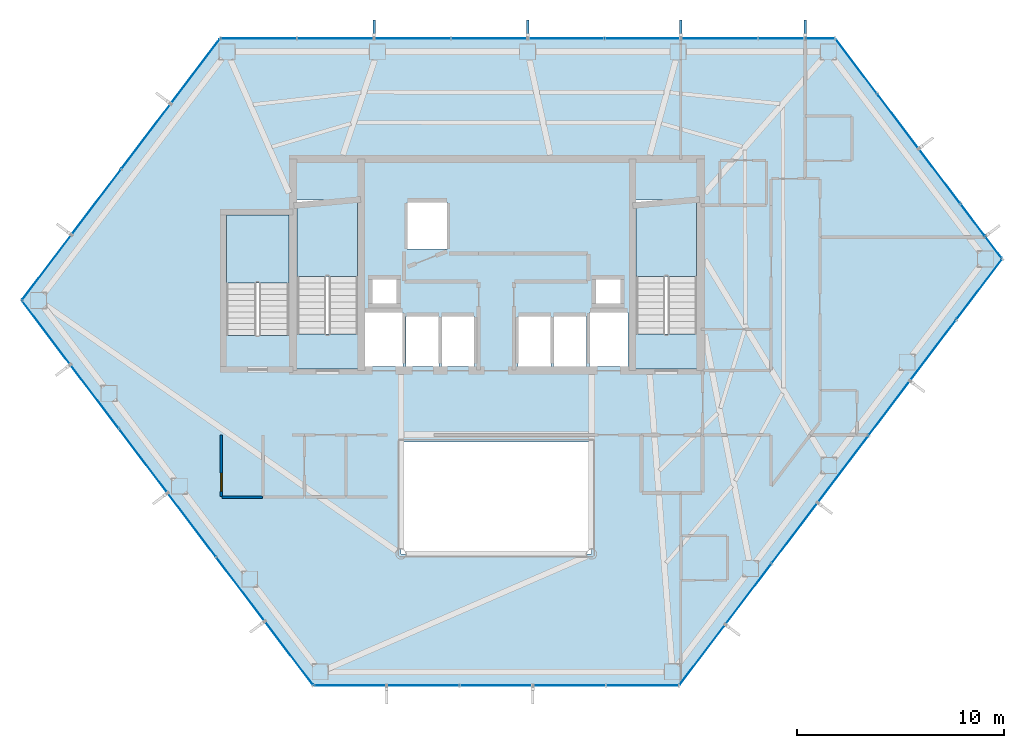
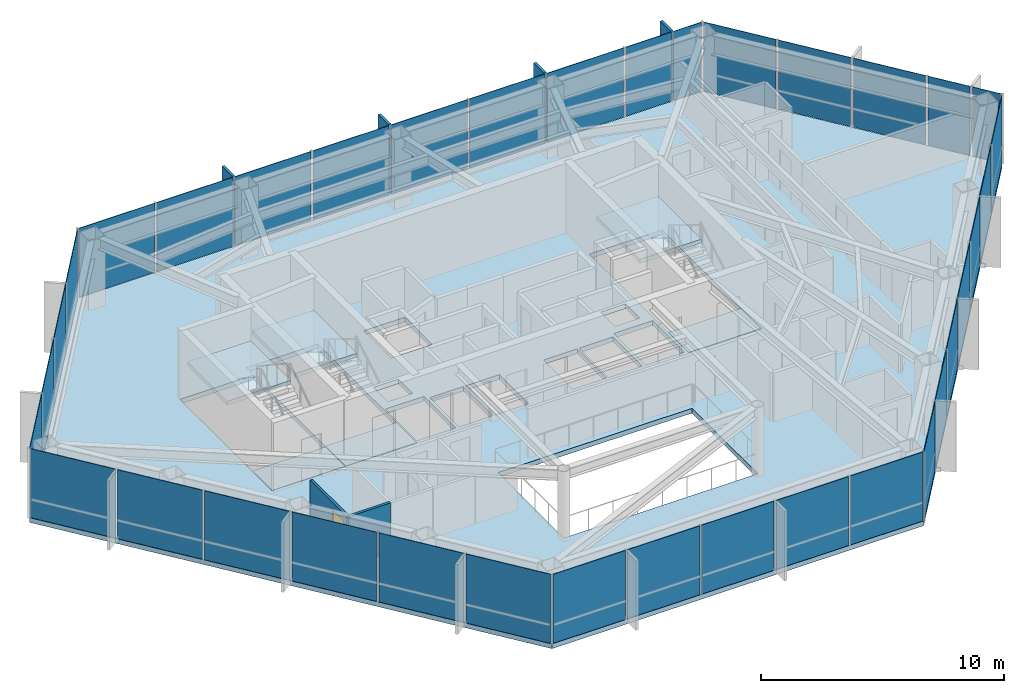
# One storey, part 24 of 28: 36 plates, 7 slabs, 4 members, 2 walls, 1 door, 1 opening, 9 elements without a shape of their own.
"""IFC4 building model written with IfcOpenShell, lengths in metres."""

from ifc_helpers import new_model, si_unit, direction, frame, frame_2d, origin, origin_2d, place, context, subcontext, project, spatial, polyline, rectangle, outline, extrude, material, layer, layer_set, material_profile, profile_set, type_object, element, fill, aggregate, save


model = new_model("IFC4")

# Units and contexts
model_context = context("Model", 3, precision=1e-05, world=origin(), true_north=direction((0.0, 1.0)))
body_context = subcontext(model_context, "Body", "Model", "MODEL_VIEW")
ifc_project = project(units=[si_unit("LENGTHUNIT", "METRE"), si_unit("AREAUNIT", "SQUARE_METRE"), si_unit("VOLUMEUNIT", "CUBIC_METRE"), si_unit("PLANEANGLEUNIT", "RADIAN"), si_unit("MASSUNIT", "GRAM", prefix="KILO")], contexts=[model_context])

# Site, building, storey
site_placement = place(None, origin())
site = spatial("IfcSite", under=ifc_project, at=site_placement, CompositionType="ELEMENT")
building_placement = place(site_placement, origin())
building = spatial("IfcBuilding", under=site, at=building_placement, Name="Zarrinselat Tower", CompositionType="ELEMENT")
storey_placement = place(building_placement, frame((0.0, 0.0, 127.159912109375)))
storey = spatial("IfcBuildingStorey", under=building, at=storey_placement, Name="L30", CompositionType="ELEMENT", Elevation=127.159912109375)

# Curtain wall, members, plates
ifc_material_1 = material(Name="Extruded Aluminium Alloy EN AW-6063 T6", Category="aluminium")
ifc_layer_1 = layer(ifc_material_1, 0.175048828125)
ifc_layer_set_1 = layer_set([ifc_layer_1], Name="Extruded Aluminium Alloy EN AW-6063 T6")
curtain_wall_type = type_object("IfcCurtainWallType", Name="CWS-HTL", PredefinedType="NOTDEFINED", material=ifc_layer_set_1)
curtain_wall_1_placement = place(storey_placement, origin())
curtain_wall_1 = element("IfcCurtainWall", 1, at=curtain_wall_1_placement, inside=storey, type_object=curtain_wall_type, Name="L30 Unitised Curtain Wall CW-L30-E01", PredefinedType="NOTDEFINED")
ifc_material_2 = material(Name="Honed Cream Travertine Stone", Category="masonry")
ifc_material_profile = material_profile(ifc_material_2, rectangle(XDim=0.1201171875, YDim=0.85009765625, at=origin_2d()), Name="FIN 850x120")
ifc_profile_set = profile_set([ifc_material_profile], Name="Honed Cream Travertine Stone")
member_type = type_object("IfcMemberType", Name="MEM-STONE-FIN", PredefinedType="USERDEFINED", material=ifc_profile_set)
member_1_placement = place(storey_placement, frame((53.300048828125, 49.726806640625, 0.0), z_axis=(0.0, 0.0, 1.0), x_axis=(1.0, 0.0, 0.0)))
member_1 = element("IfcMember", 2, at=member_1_placement, type_object=member_type, Name="L30 Stone Shading Fin CW-L30-E01-01", ObjectType="FIN", PredefinedType="USERDEFINED", context=body_context, shape_type="SweptSolid", body=[
    extrude(rectangle(XDim=0.1201171875, YDim=0.85009765625, at=origin_2d()), origin(), (0.0, 0.0, 1.0), 3.5),
])
member_2_placement = place(storey_placement, frame((47.300048828125, 49.726806640625, 0.0), z_axis=(0.0, 0.0, 1.0), x_axis=(1.0, 0.0, 0.0)))
member_2 = element("IfcMember", 3, at=member_2_placement, type_object=member_type, Name="L30 Stone Shading Fin CW-L30-E01-03", ObjectType="FIN", PredefinedType="USERDEFINED", context=body_context, shape_type="SweptSolid", body=[
    extrude(rectangle(XDim=0.1201171875, YDim=0.85009765625, at=origin_2d()), origin(), (0.0, 0.0, 1.0), 3.5),
])
member_3_placement = place(storey_placement, frame((39.91552734375, 49.726806640625, 0.0), z_axis=(0.0, 0.0, 1.0), x_axis=(1.0, 0.0, 0.0)))
member_3 = element("IfcMember", 4, at=member_3_placement, type_object=member_type, Name="L30 Stone Shading Fin CW-L30-E01-05", ObjectType="FIN", PredefinedType="USERDEFINED", context=body_context, shape_type="SweptSolid", body=[
    extrude(rectangle(XDim=0.1201171875, YDim=0.85009765625, at=origin_2d()), origin(), (0.0, 0.0, 1.0), 3.5),
])
member_4_placement = place(storey_placement, frame((32.504638671875, 49.726806640625, 0.0), z_axis=(0.0, 0.0, 1.0), x_axis=(1.0, 0.0, 0.0)))
member_4 = element("IfcMember", 5, at=member_4_placement, type_object=member_type, Name="L30 Stone Shading Fin CW-L30-E01-07", ObjectType="FIN", PredefinedType="USERDEFINED", context=body_context, shape_type="SweptSolid", body=[
    extrude(rectangle(XDim=0.1201171875, YDim=0.85009765625, at=origin_2d()), origin(), (0.0, 0.0, 1.0), 3.5),
])
ifc_material_3 = material(Name="Double Low-E Laminated Solar Glass", Category="glass")
ifc_layer_2 = layer(ifc_material_3, 0.028076171875)
ifc_layer_set_2 = layer_set([ifc_layer_2], Name="Double Low-E Laminated Solar Glass")
plate_type = type_object("IfcPlateType", Name="PLT-CW-GL28", PredefinedType="CURTAIN_PANEL", material=ifc_layer_set_2)
plate_1_placement = place(storey_placement, frame((54.018798828125, 49.2666015625, 0.02001953125), z_axis=(0.0, 0.0, 1.0), x_axis=(-1.0, 0.0, 0.0)))
plate_1 = element("IfcPlate", 6, at=plate_1_placement, type_object=plate_type, Name="CW-L30-E01 Vision Glass Panel 1", PredefinedType="CURTAIN_PANEL", context=body_context, shape_type="SweptSolid", body=[
    extrude(rectangle(XDim=1.337646484375, YDim=0.028076171875, at=origin_2d()), origin(), (0.0, 0.0, 1.0), 3.4599609375),
])
plate_2_placement = place(storey_placement, frame((52.166015625, 49.2666015625, 0.02001953125), z_axis=(0.0, 0.0, 1.0), x_axis=(-1.0, 0.0, 0.0)))
plate_2 = element("IfcPlate", 7, at=plate_2_placement, type_object=plate_type, Name="CW-L30-E01 Vision Glass Panel 2", PredefinedType="CURTAIN_PANEL", context=body_context, shape_type="SweptSolid", body=[
    extrude(rectangle(XDim=2.16796875, YDim=0.028076171875, at=origin_2d()), origin(), (0.0, 0.0, 1.0), 3.4599609375),
])
plate_3_placement = place(storey_placement, frame((49.166015625, 49.2666015625, 0.02001953125), z_axis=(0.0, 0.0, 1.0), x_axis=(-1.0, 0.0, 0.0)))
plate_3 = element("IfcPlate", 8, at=plate_3_placement, type_object=plate_type, Name="CW-L30-E01 Vision Glass Panel 3", PredefinedType="CURTAIN_PANEL", context=body_context, shape_type="SweptSolid", body=[
    extrude(rectangle(XDim=3.632080078125, YDim=0.028076171875, at=origin_2d()), origin(), (0.0, 0.0, 1.0), 3.4599609375),
])
plate_4_placement = place(storey_placement, frame((45.46044921875, 49.2666015625, 0.02001953125), z_axis=(0.0, 0.0, 1.0), x_axis=(-1.0, 0.0, 0.0)))
plate_4 = element("IfcPlate", 9, at=plate_4_placement, type_object=plate_type, Name="CW-L30-E01 Vision Glass Panel 4", PredefinedType="CURTAIN_PANEL", context=body_context, shape_type="SweptSolid", body=[
    extrude(rectangle(XDim=3.578857421875, YDim=0.028076171875, at=origin_2d()), origin(), (0.0, 0.0, 1.0), 3.4599609375),
])
plate_5_placement = place(storey_placement, frame((41.768310546875, 49.2666015625, 0.02001953125), z_axis=(0.0, 0.0, 1.0), x_axis=(-1.0, 0.0, 0.0)))
plate_5 = element("IfcPlate", 10, at=plate_5_placement, type_object=plate_type, Name="CW-L30-E01 Vision Glass Panel 5", PredefinedType="CURTAIN_PANEL", context=body_context, shape_type="SweptSolid", body=[
    extrude(rectangle(XDim=3.60546875, YDim=0.028076171875, at=origin_2d()), origin(), (0.0, 0.0, 1.0), 3.4599609375),
])
plate_6_placement = place(storey_placement, frame((38.062744140625, 49.2666015625, 0.02001953125), z_axis=(0.0, 0.0, 1.0), x_axis=(-1.0, 0.0, 0.0)))
plate_6 = element("IfcPlate", 11, at=plate_6_placement, type_object=plate_type, Name="CW-L30-E01 Vision Glass Panel 6", PredefinedType="CURTAIN_PANEL", context=body_context, shape_type="SweptSolid", body=[
    extrude(rectangle(XDim=3.60546875, YDim=0.028076171875, at=origin_2d()), origin(), (0.0, 0.0, 1.0), 3.4599609375),
])
plate_7_placement = place(storey_placement, frame((34.357421875, 49.2666015625, 0.02001953125), z_axis=(0.0, 0.0, 1.0), x_axis=(-1.0, 0.0, 0.0)))
plate_7 = element("IfcPlate", 12, at=plate_7_placement, type_object=plate_type, Name="CW-L30-E01 Vision Glass Panel 7", PredefinedType="CURTAIN_PANEL", context=body_context, shape_type="SweptSolid", body=[
    extrude(rectangle(XDim=3.60546875, YDim=0.028076171875, at=origin_2d()), origin(), (0.0, 0.0, 1.0), 3.4599609375),
])
plate_8_placement = place(storey_placement, frame((30.65185546875, 49.2666015625, 0.02001953125), z_axis=(0.0, 0.0, 1.0), x_axis=(-1.0, 0.0, 0.0)))
plate_8 = element("IfcPlate", 13, at=plate_8_placement, type_object=plate_type, Name="CW-L30-E01 Vision Glass Panel 8", PredefinedType="CURTAIN_PANEL", context=body_context, shape_type="SweptSolid", body=[
    extrude(rectangle(XDim=3.60546875, YDim=0.028076171875, at=origin_2d()), origin(), (0.0, 0.0, 1.0), 3.4599609375),
])
plate_9_placement = place(storey_placement, frame((26.9462890625, 49.2666015625, 0.02001953125), z_axis=(0.0, 0.0, 1.0), x_axis=(-1.0, 0.0, 0.0)))
plate_9 = element("IfcPlate", 14, at=plate_9_placement, type_object=plate_type, Name="CW-L30-E01 Vision Glass Panel 9", PredefinedType="CURTAIN_PANEL", context=body_context, shape_type="SweptSolid", body=[
    extrude(rectangle(XDim=3.60546875, YDim=0.028076171875, at=origin_2d()), origin(), (0.0, 0.0, 1.0), 3.4599609375),
])
aggregate(curtain_wall_1, [member_1, member_2, member_3, member_4, plate_1, plate_2, plate_3, plate_4, plate_5, plate_6, plate_7, plate_8, plate_9])

# Curtain wall, plates
curtain_wall_2_placement = place(storey_placement, origin())
curtain_wall_2 = element("IfcCurtainWall", 15, at=curtain_wall_2_placement, inside=storey, type_object=curtain_wall_type, Name="L30 Unitised Curtain Wall CW-L30-E02", PredefinedType="NOTDEFINED")
plate_10_placement = place(storey_placement, frame((23.896728515625, 47.68701171875, 0.02001953125), z_axis=(0.0, 0.0, 1.0), x_axis=(-0.603858052292, -0.797091872172, 0.0)))
plate_10 = element("IfcPlate", 16, at=plate_10_placement, type_object=plate_type, Name="CW-L30-E02 Vision Glass Panel 1", PredefinedType="CURTAIN_PANEL", context=body_context, shape_type="SweptSolid", body=[
    extrude(rectangle(XDim=3.86376953125, YDim=0.028076171875, at=origin_2d()), origin(), (0.0, 0.0, 1.0), 3.4599609375),
])
plate_11_placement = place(storey_placement, frame((21.50341796875, 44.527587890625, 0.02001953125), z_axis=(0.0, 0.0, 1.0), x_axis=(-0.603858052292, -0.797091872172, 0.0)))
plate_11 = element("IfcPlate", 17, at=plate_11_placement, type_object=plate_type, Name="CW-L30-E02 Vision Glass Panel 2", PredefinedType="CURTAIN_PANEL", context=body_context, shape_type="SweptSolid", body=[
    extrude(rectangle(XDim=3.86376953125, YDim=0.028076171875, at=origin_2d()), origin(), (0.0, 0.0, 1.0), 3.4599609375),
])
plate_12_placement = place(storey_placement, frame((19.10986328125, 41.3681640625, 0.02001953125), z_axis=(0.0, 0.0, 1.0), x_axis=(-0.603858052292, -0.797091872172, 0.0)))
plate_12 = element("IfcPlate", 18, at=plate_12_placement, type_object=plate_type, Name="CW-L30-E02 Vision Glass Panel 3", PredefinedType="CURTAIN_PANEL", context=body_context, shape_type="SweptSolid", body=[
    extrude(rectangle(XDim=3.86376953125, YDim=0.028076171875, at=origin_2d()), origin(), (0.0, 0.0, 1.0), 3.4599609375),
])
plate_13_placement = place(storey_placement, frame((16.71630859375, 38.20849609375, 0.02001953125), z_axis=(0.0, 0.0, 1.0), x_axis=(-0.603858052292, -0.797091872172, 0.0)))
plate_13 = element("IfcPlate", 19, at=plate_13_placement, type_object=plate_type, Name="CW-L30-E02 Vision Glass Panel 4", PredefinedType="CURTAIN_PANEL", context=body_context, shape_type="SweptSolid", body=[
    extrude(rectangle(XDim=3.86376953125, YDim=0.028076171875, at=origin_2d()), origin(), (0.0, 0.0, 1.0), 3.4599609375),
])
aggregate(curtain_wall_2, [plate_10, plate_11, plate_12, plate_13])

curtain_wall_3_placement = place(storey_placement, origin())
curtain_wall_3 = element("IfcCurtainWall", 20, at=curtain_wall_3_placement, inside=storey, type_object=curtain_wall_type, Name="L30 Unitised Curtain Wall CW-L30-E03", PredefinedType="NOTDEFINED")
plate_14_placement = place(storey_placement, frame((16.69140625, 35.08203125, 0.02001953125), z_axis=(0.0, 0.0, 1.0), x_axis=(0.603858349394, -0.797091647094, 0.0)))
plate_14 = element("IfcPlate", 21, at=plate_14_placement, type_object=plate_type, Name="CW-L30-E03 Vision Glass Panel 1", PredefinedType="CURTAIN_PANEL", context=body_context, shape_type="SweptSolid", body=[
    extrude(rectangle(XDim=3.78125, YDim=0.028076171875, at=origin_2d()), origin(), (0.0, 0.0, 1.0), 3.4599609375),
])
plate_15_placement = place(storey_placement, frame((19.03515625, 31.98828125, 0.02001953125), z_axis=(0.0, 0.0, 1.0), x_axis=(0.603858349394, -0.797091647094, 0.0)))
plate_15 = element("IfcPlate", 22, at=plate_15_placement, type_object=plate_type, Name="CW-L30-E03 Vision Glass Panel 2", PredefinedType="CURTAIN_PANEL", context=body_context, shape_type="SweptSolid", body=[
    extrude(rectangle(XDim=3.78125, YDim=0.028076171875, at=origin_2d()), origin(), (0.0, 0.0, 1.0), 3.4599609375),
])
plate_16_placement = place(storey_placement, frame((21.37890625, 28.89453125, 0.02001953125), z_axis=(0.0, 0.0, 1.0), x_axis=(0.603858349394, -0.797091647094, 0.0)))
plate_16 = element("IfcPlate", 23, at=plate_16_placement, type_object=plate_type, Name="CW-L30-E03 Vision Glass Panel 3", PredefinedType="CURTAIN_PANEL", context=body_context, shape_type="SweptSolid", body=[
    extrude(rectangle(XDim=3.78125, YDim=0.028076171875, at=origin_2d()), origin(), (0.0, 0.0, 1.0), 3.4599609375),
])
plate_17_placement = place(storey_placement, frame((23.72265625, 25.80078125, 0.02001953125), z_axis=(0.0, 0.0, 1.0), x_axis=(0.603858349394, -0.797091647094, 0.0)))
plate_17 = element("IfcPlate", 24, at=plate_17_placement, type_object=plate_type, Name="CW-L30-E03 Vision Glass Panel 4", PredefinedType="CURTAIN_PANEL", context=body_context, shape_type="SweptSolid", body=[
    extrude(rectangle(XDim=3.78125, YDim=0.028076171875, at=origin_2d()), origin(), (0.0, 0.0, 1.0), 3.4599609375),
])
plate_18_placement = place(storey_placement, frame((26.06640625, 22.706787109375, 0.02001953125), z_axis=(0.0, 0.0, 1.0), x_axis=(0.603858349394, -0.797091647094, 0.0)))
plate_18 = element("IfcPlate", 25, at=plate_18_placement, type_object=plate_type, Name="CW-L30-E03 Vision Glass Panel 5", PredefinedType="CURTAIN_PANEL", context=body_context, shape_type="SweptSolid", body=[
    extrude(rectangle(XDim=3.78125, YDim=0.028076171875, at=origin_2d()), origin(), (0.0, 0.0, 1.0), 3.4599609375),
])
plate_19_placement = place(storey_placement, frame((28.41015625, 19.61328125, 0.02001953125), z_axis=(0.0, 0.0, 1.0), x_axis=(0.603858349394, -0.797091647094, 0.0)))
plate_19 = element("IfcPlate", 26, at=plate_19_placement, type_object=plate_type, Name="CW-L30-E03 Vision Glass Panel 6", PredefinedType="CURTAIN_PANEL", context=body_context, shape_type="SweptSolid", body=[
    extrude(rectangle(XDim=3.78125, YDim=0.028076171875, at=origin_2d()), origin(), (0.0, 0.0, 1.0), 3.4599609375),
])
aggregate(curtain_wall_3, [plate_14, plate_15, plate_16, plate_17, plate_18, plate_19])

curtain_wall_4_placement = place(storey_placement, origin())
curtain_wall_4 = element("IfcCurtainWall", 27, at=curtain_wall_4_placement, inside=storey, type_object=curtain_wall_type, Name="L30 Unitised Curtain Wall CW-L30-E04", PredefinedType="NOTDEFINED")
plate_20_placement = place(storey_placement, frame((31.345703125, 18.06640625, 0.02001953125), z_axis=(0.0, 0.0, 1.0), x_axis=(1.0, 0.0, 0.0)))
plate_20 = element("IfcPlate", 28, at=plate_20_placement, type_object=plate_type, Name="CW-L30-E04 Vision Glass Panel 1", PredefinedType="CURTAIN_PANEL", context=body_context, shape_type="SweptSolid", body=[
    extrude(rectangle(XDim=3.42724609375, YDim=0.028076171875, at=origin_2d()), origin(), (0.0, 0.0, 1.0), 3.4599609375),
])
plate_21_placement = place(storey_placement, frame((34.872802734375, 18.06640625, 0.02001953125), z_axis=(0.0, 0.0, 1.0), x_axis=(1.0, 0.0, 0.0)))
plate_21 = element("IfcPlate", 29, at=plate_21_placement, type_object=plate_type, Name="CW-L30-E04 Vision Glass Panel 2", PredefinedType="CURTAIN_PANEL", context=body_context, shape_type="SweptSolid", body=[
    extrude(rectangle(XDim=3.42724609375, YDim=0.028076171875, at=origin_2d()), origin(), (0.0, 0.0, 1.0), 3.4599609375),
])
plate_22_placement = place(storey_placement, frame((38.39990234375, 18.06640625, 0.02001953125), z_axis=(0.0, 0.0, 1.0), x_axis=(1.0, 0.0, 0.0)))
plate_22 = element("IfcPlate", 30, at=plate_22_placement, type_object=plate_type, Name="CW-L30-E04 Vision Glass Panel 3", PredefinedType="CURTAIN_PANEL", context=body_context, shape_type="SweptSolid", body=[
    extrude(rectangle(XDim=3.42724609375, YDim=0.028076171875, at=origin_2d()), origin(), (0.0, 0.0, 1.0), 3.4599609375),
])
plate_23_placement = place(storey_placement, frame((41.92724609375, 18.06640625, 0.02001953125), z_axis=(0.0, 0.0, 1.0), x_axis=(1.0, 0.0, 0.0)))
plate_23 = element("IfcPlate", 31, at=plate_23_placement, type_object=plate_type, Name="CW-L30-E04 Vision Glass Panel 4", PredefinedType="CURTAIN_PANEL", context=body_context, shape_type="SweptSolid", body=[
    extrude(rectangle(XDim=3.42724609375, YDim=0.028076171875, at=origin_2d()), origin(), (0.0, 0.0, 1.0), 3.4599609375),
])
plate_24_placement = place(storey_placement, frame((45.454345703125, 18.06640625, 0.02001953125), z_axis=(0.0, 0.0, 1.0), x_axis=(1.0, 0.0, 0.0)))
plate_24 = element("IfcPlate", 32, at=plate_24_placement, type_object=plate_type, Name="CW-L30-E04 Vision Glass Panel 5", PredefinedType="CURTAIN_PANEL", context=body_context, shape_type="SweptSolid", body=[
    extrude(rectangle(XDim=3.42724609375, YDim=0.028076171875, at=origin_2d()), origin(), (0.0, 0.0, 1.0), 3.4599609375),
])
aggregate(curtain_wall_4, [plate_20, plate_21, plate_22, plate_23, plate_24])

curtain_wall_5_placement = place(storey_placement, origin())
curtain_wall_5 = element("IfcCurtainWall", 33, at=curtain_wall_5_placement, inside=storey, type_object=curtain_wall_type, Name="L30 Unitised Curtain Wall CW-L30-E05", PredefinedType="NOTDEFINED")
plate_25_placement = place(storey_placement, frame((48.33056640625, 19.53515625, 0.02001953125), z_axis=(0.0, 0.0, 1.0), x_axis=(0.603858135777, 0.797091808926, 0.0)))
plate_25 = element("IfcPlate", 34, at=plate_25_placement, type_object=plate_type, Name="CW-L30-E05 Vision Glass Panel 1", PredefinedType="CURTAIN_PANEL", context=body_context, shape_type="SweptSolid", body=[
    extrude(rectangle(XDim=3.58544921875, YDim=0.028076171875, at=origin_2d()), origin(), (0.0, 0.0, 1.0), 3.4599609375),
])
plate_26_placement = place(storey_placement, frame((50.55615234375, 22.47265625, 0.02001953125), z_axis=(0.0, 0.0, 1.0), x_axis=(0.603858135777, 0.797091808926, 0.0)))
plate_26 = element("IfcPlate", 35, at=plate_26_placement, type_object=plate_type, Name="CW-L30-E05 Vision Glass Panel 2", PredefinedType="CURTAIN_PANEL", context=body_context, shape_type="SweptSolid", body=[
    extrude(rectangle(XDim=3.58544921875, YDim=0.028076171875, at=origin_2d()), origin(), (0.0, 0.0, 1.0), 3.4599609375),
])
plate_27_placement = place(storey_placement, frame((52.781494140625, 25.410400390625, 0.02001953125), z_axis=(0.0, 0.0, 1.0), x_axis=(0.603858135777, 0.797091808926, 0.0)))
plate_27 = element("IfcPlate", 36, at=plate_27_placement, type_object=plate_type, Name="CW-L30-E05 Vision Glass Panel 3", PredefinedType="CURTAIN_PANEL", context=body_context, shape_type="SweptSolid", body=[
    extrude(rectangle(XDim=3.58544921875, YDim=0.028076171875, at=origin_2d()), origin(), (0.0, 0.0, 1.0), 3.4599609375),
])
plate_28_placement = place(storey_placement, frame((55.119384765625, 28.496337890625, 0.02001953125), z_axis=(0.0, 0.0, 1.0), x_axis=(0.603858135777, 0.797091808926, 0.0)))
plate_28 = element("IfcPlate", 37, at=plate_28_placement, type_object=plate_type, Name="CW-L30-E05 Vision Glass Panel 4", PredefinedType="CURTAIN_PANEL", context=body_context, shape_type="SweptSolid", body=[
    extrude(rectangle(XDim=3.9580078125, YDim=0.028076171875, at=origin_2d()), origin(), (0.0, 0.0, 1.0), 3.4599609375),
])
plate_29_placement = place(storey_placement, frame((57.344970703125, 31.43408203125, 0.02001953125), z_axis=(0.0, 0.0, 1.0), x_axis=(0.603858135777, 0.797091808926, 0.0)))
plate_29 = element("IfcPlate", 38, at=plate_29_placement, type_object=plate_type, Name="CW-L30-E05 Vision Glass Panel 5", PredefinedType="CURTAIN_PANEL", context=body_context, shape_type="SweptSolid", body=[
    extrude(rectangle(XDim=3.212646484375, YDim=0.028076171875, at=origin_2d()), origin(), (0.0, 0.0, 1.0), 3.4599609375),
])
plate_30_placement = place(storey_placement, frame((59.4580078125, 34.22314453125, 0.02001953125), z_axis=(0.0, 0.0, 1.0), x_axis=(0.603858135777, 0.797091808926, 0.0)))
plate_30 = element("IfcPlate", 39, at=plate_30_placement, type_object=plate_type, Name="CW-L30-E05 Vision Glass Panel 6", PredefinedType="CURTAIN_PANEL", context=body_context, shape_type="SweptSolid", body=[
    extrude(rectangle(XDim=3.58544921875, YDim=0.028076171875, at=origin_2d()), origin(), (0.0, 0.0, 1.0), 3.4599609375),
])
plate_31_placement = place(storey_placement, frame((61.683349609375, 37.16064453125, 0.02001953125), z_axis=(0.0, 0.0, 1.0), x_axis=(0.603858135777, 0.797091808926, 0.0)))
plate_31 = element("IfcPlate", 40, at=plate_31_placement, type_object=plate_type, Name="CW-L30-E05 Vision Glass Panel 7", PredefinedType="CURTAIN_PANEL", context=body_context, shape_type="SweptSolid", body=[
    extrude(rectangle(XDim=3.58544921875, YDim=0.028076171875, at=origin_2d()), origin(), (0.0, 0.0, 1.0), 3.4599609375),
])
aggregate(curtain_wall_5, [plate_25, plate_26, plate_27, plate_28, plate_29, plate_30, plate_31])

curtain_wall_6_placement = place(storey_placement, origin())
curtain_wall_6 = element("IfcCurtainWall", 41, at=curtain_wall_6_placement, inside=storey, type_object=curtain_wall_type, Name="L30 Unitised Curtain Wall CW-L30-E06", PredefinedType="NOTDEFINED")
plate_32_placement = place(storey_placement, frame((62.385009765625, 39.172119140625, 0.02001953125), z_axis=(0.0, 0.0, 1.0), x_axis=(-0.603858409354, 0.79709160167, 0.0)))
plate_32 = element("IfcPlate", 42, at=plate_32_placement, type_object=plate_type, Name="CW-L30-E06 Vision Glass Panel 1", PredefinedType="CURTAIN_PANEL", context=body_context, shape_type="SweptSolid", body=[
    extrude(rectangle(XDim=1.26123046875, YDim=0.028076171875, at=origin_2d()), origin(), (0.0, 0.0, 1.0), 3.4599609375),
])
plate_33_placement = place(storey_placement, frame((61.377685546875, 40.501708984375, 0.02001953125), z_axis=(0.0, 0.0, 1.0), x_axis=(-0.603858409354, 0.79709160167, 0.0)))
plate_33 = element("IfcPlate", 43, at=plate_33_placement, type_object=plate_type, Name="CW-L30-E06 Vision Glass Panel 2", PredefinedType="CURTAIN_PANEL", context=body_context, shape_type="SweptSolid", body=[
    extrude(rectangle(XDim=1.875, YDim=0.028076171875, at=origin_2d()), origin(), (0.0, 0.0, 1.0), 3.4599609375),
])
plate_34_placement = place(storey_placement, frame((59.774169921875, 42.618408203125, 0.02001953125), z_axis=(0.0, 0.0, 1.0), x_axis=(-0.603858409354, 0.79709160167, 0.0)))
plate_34 = element("IfcPlate", 44, at=plate_34_placement, type_object=plate_type, Name="CW-L30-E06 Vision Glass Panel 3", PredefinedType="CURTAIN_PANEL", context=body_context, shape_type="SweptSolid", body=[
    extrude(rectangle(XDim=3.236328125, YDim=0.028076171875, at=origin_2d()), origin(), (0.0, 0.0, 1.0), 3.4599609375),
])
plate_35_placement = place(storey_placement, frame((57.759521484375, 45.277587890625, 0.02001953125), z_axis=(0.0, 0.0, 1.0), x_axis=(-0.603858409354, 0.79709160167, 0.0)))
plate_35 = element("IfcPlate", 45, at=plate_35_placement, type_object=plate_type, Name="CW-L30-E06 Vision Glass Panel 4", PredefinedType="CURTAIN_PANEL", context=body_context, shape_type="SweptSolid", body=[
    extrude(rectangle(XDim=3.236328125, YDim=0.028076171875, at=origin_2d()), origin(), (0.0, 0.0, 1.0), 3.4599609375),
])
plate_36_placement = place(storey_placement, frame((55.744873046875, 47.93701171875, 0.02001953125), z_axis=(0.0, 0.0, 1.0), x_axis=(-0.603858409354, 0.79709160167, 0.0)))
plate_36 = element("IfcPlate", 46, at=plate_36_placement, type_object=plate_type, Name="CW-L30-E06 Vision Glass Panel 5", PredefinedType="CURTAIN_PANEL", context=body_context, shape_type="SweptSolid", body=[
    extrude(rectangle(XDim=3.236328125, YDim=0.028076171875, at=origin_2d()), origin(), (0.0, 0.0, 1.0), 3.4599609375),
])
aggregate(curtain_wall_6, [plate_32, plate_33, plate_34, plate_35, plate_36])

# Slabs
ifc_material_4 = material(Name="Concrete C40/50", Category="concrete")
ifc_layer_3 = layer(ifc_material_4, 0.239990234375)
ifc_layer_set_3 = layer_set([ifc_layer_3], Name="Concrete C40/50")
slab_type_1 = type_object("IfcSlabType", Name="SLB-FLOOR-240-SL-HT240", PredefinedType="FLOOR", material=ifc_layer_set_3)
slab_1_placement = place(storey_placement, frame((0.0, 0.0, -0.239990234375)))
element("IfcSlab", 47, at=slab_1_placement, inside=storey, type_object=slab_type_1, Name="L30 Primary Structural Slab", PredefinedType="FLOOR", context=body_context, shape_type="SweptSolid", body=[
    extrude(outline(polyline([(54.737548828125, 49.2666015625), (25.093505859375, 49.2666015625), (15.51953125, 36.62890625), (29.58203125, 18.06640625), (47.218017578125, 18.06640625), (62.796142578125, 38.62939453125), (54.737548828125, 49.2666015625)]), holes=[polyline([(35.64990234375, 33.449951171875), (34.050048828125, 33.449951171875), (34.050048828125, 35.85009765625), (35.64990234375, 35.85009765625), (35.64990234375, 33.449951171875)]), polyline([(35.75, 33.449951171875), (35.75, 35.85009765625), (37.35009765625, 35.85009765625), (37.35009765625, 33.449951171875), (35.75, 33.449951171875)]), polyline([(32.06005859375, 33.449951171875), (32.06005859375, 36.050048828125), (33.89990234375, 36.050048828125), (33.89990234375, 33.449951171875), (32.06005859375, 33.449951171875)]), polyline([(33.60009765625, 36.47998046875), (32.419921875, 36.47998046875), (32.419921875, 37.639892578125), (33.60009765625, 37.639892578125), (33.60009765625, 36.47998046875)]), polyline([(28.594970703125, 33.324951171875), (25.114990234375, 33.324951171875), (25.114990234375, 40.875), (28.594970703125, 40.875), (28.594970703125, 33.324951171875)]), polyline([(31.985107421875, 33.324951171875), (28.60498046875, 33.324951171875), (28.60498046875, 41.47509765625), (31.985107421875, 41.47509765625), (31.985107421875, 33.324951171875)]), polyline([(36.050048828125, 39.10009765625), (34.10009765625, 39.10009765625), (34.10009765625, 41.35009765625), (36.050048828125, 41.35009765625), (36.050048828125, 39.10009765625)]), polyline([(33.800048828125, 24.39990234375), (33.800048828125, 29.800048828125), (43.0, 29.800048828125), (43.0, 24.39990234375), (33.800048828125, 24.39990234375)]), polyline([(39.449951171875, 33.449951171875), (39.449951171875, 35.85009765625), (41.050048828125, 35.85009765625), (41.050048828125, 33.449951171875), (39.449951171875, 33.449951171875)]), polyline([(41.14990234375, 33.449951171875), (41.14990234375, 35.85009765625), (42.75, 35.85009765625), (42.75, 33.449951171875), (41.14990234375, 33.449951171875)]), polyline([(42.89990234375, 33.449951171875), (42.89990234375, 36.050048828125), (44.739990234375, 36.050048828125), (44.739990234375, 33.449951171875), (42.89990234375, 33.449951171875)]), polyline([(43.199951171875, 36.47998046875), (43.199951171875, 37.639892578125), (44.3798828125, 37.639892578125), (44.3798828125, 36.47998046875), (43.199951171875, 36.47998046875)]), polyline([(48.324951171875, 33.324951171875), (44.875, 33.324951171875), (44.875, 41.47509765625), (48.324951171875, 41.47509765625), (48.324951171875, 33.324951171875)])]), origin(), (0.0, 0.0, 1.0), 0.239990234375),
])
slab_2_placement = place(storey_placement, frame((0.0, 0.0, -0.239990234375)))
element("IfcSlab", 48, at=slab_2_placement, inside=storey, type_object=slab_type_1, Name="L30 Stair ST-1-FL1 Structural Floor Landing", PredefinedType="FLOOR", context=body_context, shape_type="SweptSolid", body=[
    extrude(outline(polyline([(31.97998046875, 33.330078125), (31.97998046875, 35.0), (28.610107421875, 35.0), (28.610107421875, 33.330078125), (31.97998046875, 33.330078125)])), origin(), (0.0, 0.0, 1.0), 0.239990234375),
])
slab_3_placement = place(storey_placement, frame((0.0, 0.0, -0.239990234375)))
element("IfcSlab", 49, at=slab_3_placement, inside=storey, type_object=slab_type_1, Name="L30 Stair ST-2-FL1 Structural Floor Landing", PredefinedType="FLOOR", context=body_context, shape_type="SweptSolid", body=[
    extrude(outline(polyline([(48.320068359375, 33.330078125), (48.320068359375, 35.0), (44.8798828125, 35.0), (44.8798828125, 33.330078125), (48.320068359375, 33.330078125)])), origin(), (0.0, 0.0, 1.0), 0.239990234375),
])
slab_4_placement = place(storey_placement, frame((0.0, 0.0, -0.239990234375)))
element("IfcSlab", 50, at=slab_4_placement, inside=storey, type_object=slab_type_1, Name="L30 Stair ST-3-FL1 Structural Floor Landing", PredefinedType="FLOOR", context=body_context, shape_type="SweptSolid", body=[
    extrude(outline(polyline([(28.590087890625, 33.330078125), (28.590087890625, 34.949951171875), (25.1201171875, 34.949951171875), (25.1201171875, 33.330078125), (28.590087890625, 33.330078125)])), origin(), (0.0, 0.0, 1.0), 0.239990234375),
])

# Stair, slab
ifc_material_5 = material(Name="Concrete C40/50", Category="concrete")
stair_type_1 = type_object("IfcStairType", Name="STR-CORE-145", PredefinedType="HALF_TURN_STAIR", material=ifc_material_5)
stair_1_placement = place(storey_placement, origin())
stair_1 = element("IfcStair", 51, at=stair_1_placement, inside=storey, type_object=stair_type_1, Name="L30 Podium & Mid-Tower Exit Stair 3", PredefinedType="HALF_TURN_STAIR")
ifc_material_6 = material(Name="Concrete C40/50", Category="concrete")
ifc_layer_4 = layer(ifc_material_6, 0.1650390625)
ifc_layer_set_4 = layer_set([ifc_layer_4], Name="Concrete C40/50")
slab_type_2 = type_object("IfcSlabType", Name="SLB-LND-165", PredefinedType="LANDING", material=ifc_layer_set_4)
slab_5_placement = place(storey_placement, frame((0.0, 0.0, 1.670166015625)))
slab_5 = element("IfcSlab", 52, at=slab_5_placement, type_object=slab_type_2, Name="ST-3 landing 1", PredefinedType="LANDING", context=body_context, shape_type="SweptSolid", body=[
    extrude(outline(polyline([(28.39990234375, 37.469970703125), (28.39990234375, 40.75), (25.3798828125, 40.75), (25.3798828125, 37.469970703125), (28.39990234375, 37.469970703125)])), origin(), (0.0, 0.0, 1.0), 0.199951171875),
])
aggregate(stair_1, [slab_5])

ifc_material_7 = material(Name="Concrete C40/50", Category="concrete")
stair_type_2 = type_object("IfcStairType", Name="STR-CORE-155", PredefinedType="HALF_TURN_STAIR", material=ifc_material_7)
stair_2_placement = place(storey_placement, origin())
stair_2 = element("IfcStair", 53, at=stair_2_placement, inside=storey, type_object=stair_type_2, Name="L30 Core Exit Stair 1", PredefinedType="HALF_TURN_STAIR")
ifc_material_8 = material(Name="Concrete C40/50", Category="concrete")
ifc_layer_5 = layer(ifc_material_8, 0.18994140625)
ifc_layer_set_5 = layer_set([ifc_layer_5], Name="Concrete C40/50")
slab_type_3 = type_object("IfcSlabType", Name="SLB-LND-190", PredefinedType="LANDING", material=ifc_layer_set_5)
slab_6_placement = place(storey_placement, frame((0.0, 0.0, 1.670166015625)))
slab_6 = element("IfcSlab", 54, at=slab_6_placement, type_object=slab_type_3, Name="ST-1 landing 1", PredefinedType="LANDING", context=body_context, shape_type="SweptSolid", body=[
    extrude(outline(polyline([(31.719970703125, 37.7900390625), (31.719970703125, 41.35009765625), (28.800048828125, 41.35009765625), (28.800048828125, 37.7900390625), (31.719970703125, 37.7900390625)])), origin(), (0.0, 0.0, 1.0), 0.199951171875),
])
aggregate(stair_2, [slab_6])

stair_3_placement = place(storey_placement, origin())
stair_3 = element("IfcStair", 55, at=stair_3_placement, inside=storey, type_object=stair_type_2, Name="L30 Core Exit Stair 2", PredefinedType="HALF_TURN_STAIR")
slab_7_placement = place(storey_placement, frame((0.0, 0.0, 1.670166015625)))
slab_7 = element("IfcSlab", 56, at=slab_7_placement, type_object=slab_type_3, Name="ST-2 landing 1", PredefinedType="LANDING", context=body_context, shape_type="SweptSolid", body=[
    extrude(outline(polyline([(48.06005859375, 37.7900390625), (48.06005859375, 41.35009765625), (45.139892578125, 41.35009765625), (45.139892578125, 37.7900390625), (48.06005859375, 37.7900390625)])), origin(), (0.0, 0.0, 1.0), 0.199951171875),
])
aggregate(stair_3, [slab_7])

# Wall
ifc_material_9 = material(Name="Fire-Rated Gypsum Board Partition", Category="gypsum")
ifc_layer_6 = layer(ifc_material_9, 0.1201171875)
ifc_layer_set_6 = layer_set([ifc_layer_6], Name="Fire-Rated Gypsum Board Partition")
wall_type = type_object("IfcWallType", Name="WAL-PART-STD", PredefinedType="PARTITIONING", material=ifc_layer_set_6)
wall_1_placement = place(storey_placement, frame((25.169921875, 27.14990234375, 0.0), z_axis=(0.0, 0.0, 1.0), x_axis=(1.0, 0.0, 0.0)))
element("IfcWall", 57, at=wall_1_placement, inside=storey, type_object=wall_type, Name="L30 Partition Wall 35", PredefinedType="PARTITIONING", context=body_context, shape_type="SweptSolid", body=[
    extrude(rectangle(XDim=1.9599609375, YDim=0.1201171875, at=frame_2d((0.97998046875, 0.0))), origin(), (0.0, 0.0, 1.0), 2.45703125),
])

# Wall, opening, door
wall_2_placement = place(storey_placement, frame((25.14990234375, 27.169921875, 0.0), z_axis=(0.0, 0.0, 1.0), x_axis=(0.0, 1.0, 0.0)))
wall_2 = element("IfcWall", 58, at=wall_2_placement, inside=storey, type_object=wall_type, Name="L30 Partition Wall 36", PredefinedType="PARTITIONING", context=body_context, shape_type="SweptSolid", body=[
    extrude(rectangle(XDim=2.97998046875, YDim=0.1201171875, at=frame_2d((1.489990234375, 0.0))), origin(), (0.0, 0.0, 1.0), 2.45703125),
])
opening_placement = place(wall_2_placement, frame((0.25, 0.0, 0.0)))
opening = element("IfcOpeningElement", 59, at=opening_placement, cuts=wall_2, Name="Opening ID-03", PredefinedType="OPENING", context=body_context, shape_type="SweptSolid", body=[
    extrude(rectangle(XDim=0.8798828125, YDim=2.050048828125, at=frame_2d((0.43994140625, 1.02490234375))), frame((0.0, 0.070068359375, 0.0), z_axis=(0.0, -1.0, 0.0), x_axis=(1.0, 0.0, 0.0)), (0.0, 0.0, 1.0), 0.14013671875),
])
ifc_material_10 = material(Name="Steel S355J2", Category="steel")
door_type = type_object("IfcDoorType", Name="DR-INT-FD60-S", OperationType="NOTDEFINED", PredefinedType="DOOR", material=ifc_material_10)
door_placement = place(opening_placement, origin())
door = element("IfcDoor", 60, at=door_placement, inside=storey, type_object=door_type, Name="L30 Interior Door P36", OperationType="SINGLE_SWING_LEFT", OverallHeight=2.050048828125, OverallWidth=0.8798828125, PredefinedType="DOOR", context=body_context, shape_type="SweptSolid", body=[
    extrude(rectangle(XDim=0.8798828125, YDim=2.050048828125, at=frame_2d((0.43994140625, 1.02490234375))), frame((0.0, 0.02490234375, 0.0), z_axis=(0.0, -1.0, 0.0), x_axis=(1.0, 0.0, 0.0)), (0.0, 0.0, 1.0), 0.050048828125),
])
fill(opening, door)

save(model, "model.ifc")
